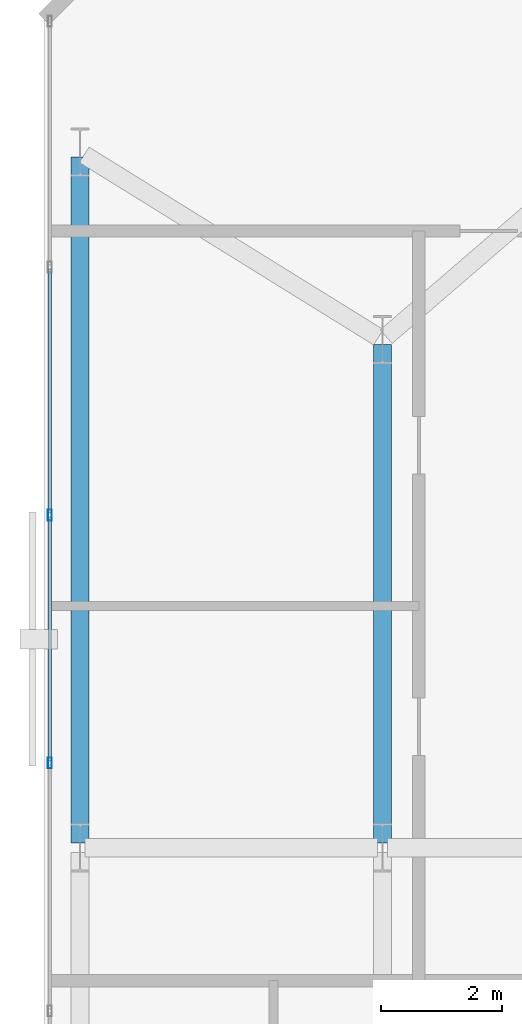
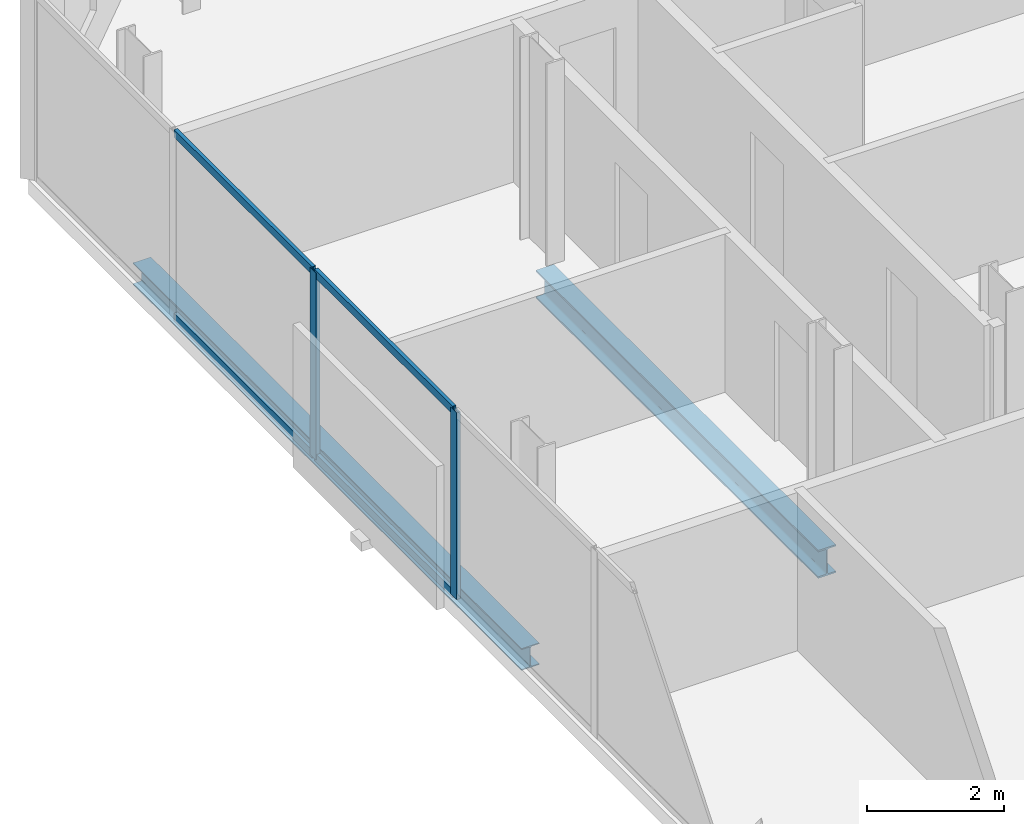
# One storey, part 18 of 33: 6 members, 2 beams, 1 element without a shape of its own.
"""IFC4 building model written with IfcOpenShell, lengths in metres."""

from ifc_helpers import new_model, si_unit, direction, frame, origin, origin_2d, place, context, subcontext, project, spatial, hollow_rectangle, i_section, extrude, material, layer, layer_set, material_profile, profile_set, type_object, element, aggregate, save


model = new_model("IFC4")

# Units and contexts
model_context = context("Model", 3, precision=1e-05, world=origin(), true_north=direction((0.0, 1.0)))
body_context = subcontext(model_context, "Body", "Model", "MODEL_VIEW")
ifc_project = project(units=[si_unit("LENGTHUNIT", "METRE"), si_unit("AREAUNIT", "SQUARE_METRE"), si_unit("VOLUMEUNIT", "CUBIC_METRE"), si_unit("PLANEANGLEUNIT", "RADIAN"), si_unit("MASSUNIT", "GRAM", prefix="KILO")], contexts=[model_context])

# Site, building, storey
site_placement = place(None, origin())
site = spatial("IfcSite", under=ifc_project, at=site_placement, CompositionType="ELEMENT")
building_placement = place(site_placement, origin())
building = spatial("IfcBuilding", under=site, at=building_placement, Name="Catumbela Crestline Tower", CompositionType="ELEMENT")
storey_placement = place(building_placement, frame((0.0, 0.0, 47.4)))
storey = spatial("IfcBuildingStorey", under=building, at=storey_placement, Name="L11", CompositionType="ELEMENT", Elevation=47.4)

# Beam
ifc_material_1 = material(Name="Structural steel S355J2", Category="steel")
ifc_material_profile_1 = material_profile(ifc_material_1, i_section(OverallWidth=0.3, OverallDepth=0.5, WebThickness=0.0145, FlangeThickness=0.028, FilletRadius=0.027, at=origin_2d()), Name="HEB 500")
ifc_profile_set_1 = profile_set([ifc_material_profile_1], Name="Structural steel S355J2")
beam_type_1 = type_object("IfcBeamType", Name="BG-HEB500", PredefinedType="BEAM", material=ifc_profile_set_1)
beam_1_placement = place(storey_placement, frame((5.6, 30.88, -0.51), z_axis=(0.0, 1.0, 0.0), x_axis=(-1.0, 0.0, 0.0)))
element("IfcBeam", 1, at=beam_1_placement, inside=storey, type_object=beam_type_1, Name="L11 Beam BM-L11-SN28", PredefinedType="BEAM", context=body_context, shape_type="SweptSolid", body=[
    extrude(i_section(OverallWidth=0.3, OverallDepth=0.5, WebThickness=0.0145, FlangeThickness=0.028, FilletRadius=0.027, at=origin_2d()), origin(), (0.0, 0.0, 1.0), 8.24),
])

# Curtain wall, members
ifc_material_2 = material(Name="Aluminium alloy AW-6060-T66", Category="aluminium")
ifc_layer = layer(ifc_material_2, 0.18, Name="Aluminium alloy AW-6060-T66")
ifc_layer_set = layer_set([ifc_layer], Name="Aluminium alloy AW-6060-T66")
curtain_wall_type = type_object("IfcCurtainWallType", Name="CWU-Z1", PredefinedType="USERDEFINED", material=ifc_layer_set)
curtain_wall_placement = place(storey_placement, origin())
curtain_wall = element("IfcCurtainWall", 2, at=curtain_wall_placement, inside=storey, type_object=curtain_wall_type, Name="L11 Unitised Curtain Wall CW-L11-E9S1", ObjectType="UNITISED", PredefinedType="USERDEFINED")
ifc_material_profile_2 = material_profile(ifc_material_2, hollow_rectangle(XDim=0.065, YDim=0.18, WallThickness=0.004, at=origin_2d()), Name="ALU 180x65x4")
ifc_profile_set_2 = profile_set([ifc_material_profile_2], Name="Aluminium alloy AW-6060-T66")
member_type_1 = type_object("IfcMemberType", Name="MUL-180X65", PredefinedType="MULLION", material=ifc_profile_set_2)
member_1_placement = place(storey_placement, frame((0.1, 36.3, 0.0), z_axis=(0.0, 0.0, 1.0), x_axis=(1.0, 0.0, 0.0)))
member_1 = element("IfcMember", 3, at=member_1_placement, type_object=member_type_1, Name="CWU-Z1 mullion 3", PredefinedType="MULLION", context=body_context, shape_type="SweptSolid", body=[
    extrude(hollow_rectangle(XDim=0.065, YDim=0.18, WallThickness=0.004, at=origin_2d()), origin(), (0.0, 0.0, 1.0), 3.33),
])
member_2_placement = place(storey_placement, frame((0.1, 32.2, 0.0), z_axis=(0.0, 0.0, 1.0), x_axis=(1.0, 0.0, 0.0)))
member_2 = element("IfcMember", 4, at=member_2_placement, type_object=member_type_1, Name="CWU-Z1 mullion 4", PredefinedType="MULLION", context=body_context, shape_type="SweptSolid", body=[
    extrude(hollow_rectangle(XDim=0.065, YDim=0.18, WallThickness=0.004, at=origin_2d()), origin(), (0.0, 0.0, 1.0), 3.33),
])

# Beam
ifc_material_profile_3 = material_profile(ifc_material_1, i_section(OverallWidth=0.3, OverallDepth=0.39, WebThickness=0.011, FlangeThickness=0.019, FilletRadius=0.027, at=origin_2d()), Name="HEA 400")
ifc_profile_set_3 = profile_set([ifc_material_profile_3], Name="Structural steel S355J2")
beam_type_2 = type_object("IfcBeamType", Name="BS-HEA400", PredefinedType="SPANDREL", material=ifc_profile_set_3)
beam_2_placement = place(storey_placement, frame((0.6, 30.88, -0.455), z_axis=(0.0, 1.0, 0.0), x_axis=(-1.0, 0.0, 0.0)))
element("IfcBeam", 5, at=beam_2_placement, inside=storey, type_object=beam_type_2, Name="L11 Spandrel SP-L11-SN26", PredefinedType="SPANDREL", context=body_context, shape_type="SweptSolid", body=[
    extrude(i_section(OverallWidth=0.3, OverallDepth=0.39, WebThickness=0.011, FlangeThickness=0.019, FilletRadius=0.027, at=origin_2d()), origin(), (0.0, 0.0, 1.0), 11.34),
])

# Member
ifc_material_profile_4 = material_profile(ifc_material_2, hollow_rectangle(XDim=0.06, YDim=0.14, WallThickness=0.004, at=origin_2d()), Name="ALU 140x60x4")
ifc_profile_set_4 = profile_set([ifc_material_profile_4], Name="Aluminium alloy AW-6060-T66")
member_type_2 = type_object("IfcMemberType", Name="TRN-140X60", PredefinedType="USERDEFINED", material=ifc_profile_set_4)
member_3_placement = place(storey_placement, frame((0.1, 40.3675, 0.03), z_axis=(0.0, -1.0, 0.0), x_axis=(1.0, 0.0, 0.0)))
member_3 = element("IfcMember", 6, at=member_3_placement, type_object=member_type_2, Name="CWU-Z1 transom 2.1", ObjectType="TRANSOM", PredefinedType="USERDEFINED", context=body_context, shape_type="SweptSolid", body=[
    extrude(hollow_rectangle(XDim=0.06, YDim=0.14, WallThickness=0.004, at=origin_2d()), origin(), (0.0, 0.0, 1.0), 4.035),
])

member_4_placement = place(storey_placement, frame((0.1, 40.3675, 3.3), z_axis=(0.0, -1.0, 0.0), x_axis=(1.0, 0.0, 0.0)))
member_4 = element("IfcMember", 7, at=member_4_placement, type_object=member_type_2, Name="CWU-Z1 transom 2.2", ObjectType="TRANSOM", PredefinedType="USERDEFINED", context=body_context, shape_type="SweptSolid", body=[
    extrude(hollow_rectangle(XDim=0.06, YDim=0.14, WallThickness=0.004, at=origin_2d()), origin(), (0.0, 0.0, 1.0), 4.035),
])

member_5_placement = place(storey_placement, frame((0.1, 36.2675, 0.03), z_axis=(0.0, -1.0, 0.0), x_axis=(1.0, 0.0, 0.0)))
member_5 = element("IfcMember", 8, at=member_5_placement, type_object=member_type_2, Name="CWU-Z1 transom 3.1", ObjectType="TRANSOM", PredefinedType="USERDEFINED", context=body_context, shape_type="SweptSolid", body=[
    extrude(hollow_rectangle(XDim=0.06, YDim=0.14, WallThickness=0.004, at=origin_2d()), origin(), (0.0, 0.0, 1.0), 4.035),
])

member_6_placement = place(storey_placement, frame((0.1, 36.2675, 3.3), z_axis=(0.0, -1.0, 0.0), x_axis=(1.0, 0.0, 0.0)))
member_6 = element("IfcMember", 9, at=member_6_placement, type_object=member_type_2, Name="CWU-Z1 transom 3.2", ObjectType="TRANSOM", PredefinedType="USERDEFINED", context=body_context, shape_type="SweptSolid", body=[
    extrude(hollow_rectangle(XDim=0.06, YDim=0.14, WallThickness=0.004, at=origin_2d()), origin(), (0.0, 0.0, 1.0), 4.035),
])

aggregate(curtain_wall, [member_1, member_2, member_3, member_4, member_5, member_6])

save(model, "model.ifc")
